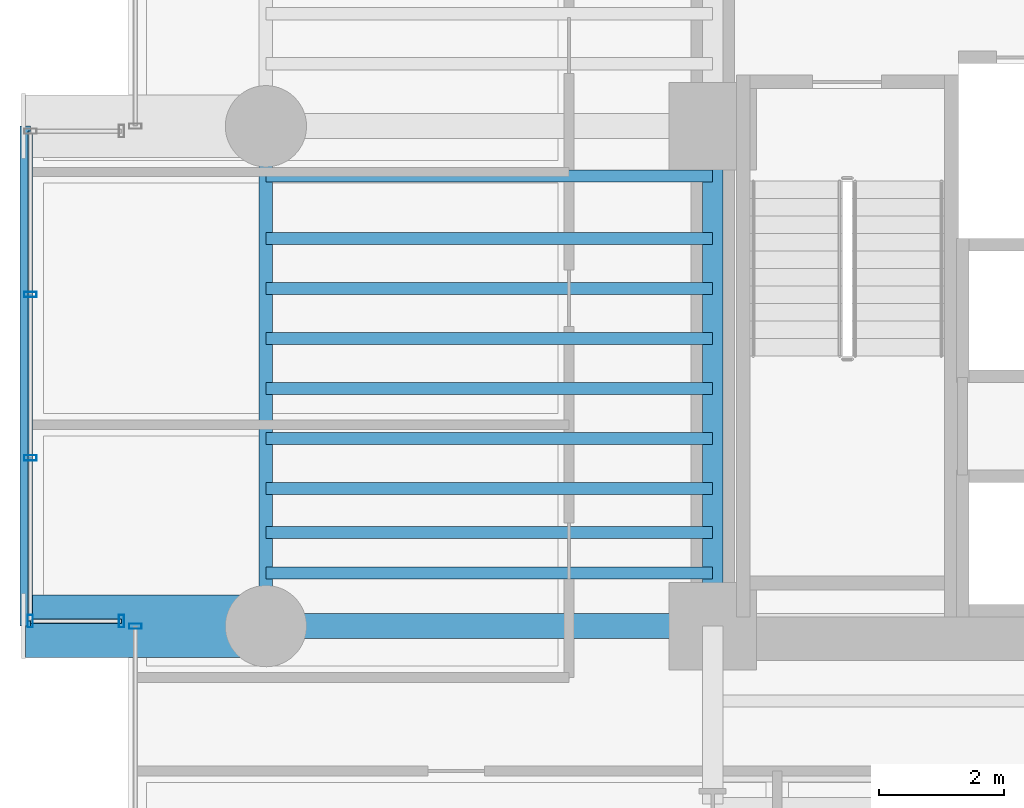
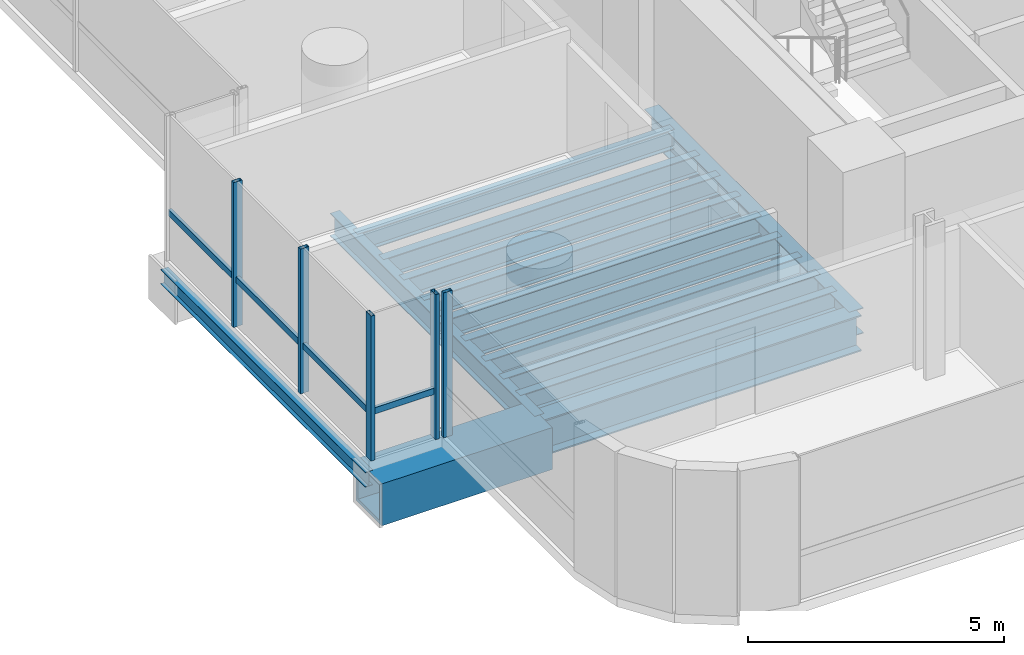
# One storey, part 4 of 39: 14 beams, 7 members, 3 elements without a shape of their own.
"""IFC4 building model written with IfcOpenShell, lengths in metres."""

from ifc_helpers import new_model, si_unit, direction, frame, origin, origin_2d, place, context, subcontext, project, spatial, hollow_rectangle, i_section, extrude, source, transform, mapped, material, material_profile, profile_set, type_object, element, aggregate, save


model = new_model("IFC4")

# Units and contexts
model_context = context("Model", 3, precision=1e-05, world=origin(), true_north=direction((0.0, 1.0)))
body_context = subcontext(model_context, "Body", "Model", "MODEL_VIEW")
ifc_project = project(units=[si_unit("LENGTHUNIT", "METRE"), si_unit("AREAUNIT", "SQUARE_METRE"), si_unit("VOLUMEUNIT", "CUBIC_METRE"), si_unit("PLANEANGLEUNIT", "RADIAN"), si_unit("MASSUNIT", "GRAM", prefix="KILO")], contexts=[model_context])

# Site, building, storey
site_placement = place(None, origin())
site = spatial("IfcSite", under=ifc_project, at=site_placement, CompositionType="ELEMENT")
building_placement = place(site_placement, origin())
building = spatial("IfcBuilding", under=site, at=building_placement, Name="Valdorenza Pilgrim Sanctuary Tower", CompositionType="ELEMENT")
storey_placement = place(building_placement, frame((0.0, 0.0, 33.39990234375)))
storey = spatial("IfcBuildingStorey", under=building, at=storey_placement, Name="L07", CompositionType="ELEMENT", Elevation=33.39990234375)

# Beams
ifc_material_1 = material(Name="Steel ASTM A992 Grade 50", Category="steel")
ifc_material_profile_1 = material_profile(ifc_material_1, i_section(OverallWidth=0.214111328125, OverallDepth=0.549072265625, WebThickness=0.0146484375, FlangeThickness=0.023681640625, at=origin_2d()), Name="W21X93")
ifc_profile_set_1 = profile_set([ifc_material_profile_1], Name="Steel ASTM A992 Grade 50")
beam_type_1 = type_object("IfcBeamType", Name="STR-BM-SPN-W21A", PredefinedType="SPANDREL", material=ifc_profile_set_1)
shared_shape_1 = source(origin(), body_context, "Body", "SweptSolid", [
    extrude(i_section(OverallWidth=0.214111328125, OverallDepth=0.549072265625, WebThickness=0.0146484375, FlangeThickness=0.023681640625, at=origin_2d()), origin(), (0.0, 0.0, 1.0), 8.0),
])
beam_1_placement = place(storey_placement, frame((-29.800048828125, -10.60009765625, -0.514404296875), z_axis=(0.0, 1.0, 0.0), x_axis=(-1.0, 0.0, 0.0)))
element("IfcBeam", 1, at=beam_1_placement, inside=storey, type_object=beam_type_1, Name="L07 Spandrel Beam WA-W-S1M0", PredefinedType="SPANDREL", context=body_context, shape_type="MappedRepresentation", body=[
    mapped(shared_shape_1, transform((0.0, 0.0, 0.0), x_axis=(1.0, 0.0, 0.0), y_axis=(0.0, 1.0, 0.0), z_axis=(0.0, 0.0, 1.0), scale=1.0)),
])
ifc_material_profile_2 = material_profile(ifc_material_1, i_section(OverallWidth=0.323974609375, OverallDepth=0.611083984375, WebThickness=0.0126953125, FlangeThickness=0.01904296875, at=origin_2d()), Name="W24X104")
ifc_profile_set_2 = profile_set([ifc_material_profile_2], Name="Steel ASTM A992 Grade 50")
beam_type_2 = type_object("IfcBeamType", Name="STR-BM-GRD-W24B", PredefinedType="BEAM", material=ifc_profile_set_2)
shared_shape_2 = source(origin(), body_context, "Body", "SweptSolid", [
    extrude(i_section(OverallWidth=0.323974609375, OverallDepth=0.611083984375, WebThickness=0.0126953125, FlangeThickness=0.01904296875, at=origin_2d()), origin(), (0.0, 0.0, 1.0), 8.0),
])
beam_2_placement = place(storey_placement, frame((-22.64990234375, -10.60009765625, -0.54541015625), z_axis=(0.0, 1.0, 0.0), x_axis=(-1.0, 0.0, 0.0)))
element("IfcBeam", 2, at=beam_2_placement, inside=storey, type_object=beam_type_2, Name="L07 Core Tie Girder CA-W-S1M0", PredefinedType="BEAM", context=body_context, shape_type="MappedRepresentation", body=[
    mapped(shared_shape_2, transform((0.0, 0.0, 0.0), x_axis=(1.0, 0.0, 0.0), y_axis=(0.0, 1.0, 0.0), z_axis=(0.0, 0.0, 1.0), scale=1.0)),
])
ifc_material_profile_3 = material_profile(ifc_material_1, i_section(OverallWidth=0.193115234375, OverallDepth=0.466064453125, WebThickness=0.011474609375, FlangeThickness=0.01904296875, at=origin_2d()), Name="W18X65")
ifc_profile_set_3 = profile_set([ifc_material_profile_3], Name="Steel ASTM A992 Grade 50")
beam_type_3 = type_object("IfcBeamType", Name="STR-BM-JST-W18A", PredefinedType="JOIST", material=ifc_profile_set_3)
shared_shape_3 = source(origin(), body_context, "Body", "SweptSolid", [
    extrude(i_section(OverallWidth=0.193115234375, OverallDepth=0.466064453125, WebThickness=0.011474609375, FlangeThickness=0.01904296875, at=origin_2d()), origin(), (0.0, 0.0, 1.0), 7.150146484375),
])
for number, where, z_axis, x_axis, name in (
    (3, (-29.800048828125, -9.75, -0.472900390625), (1.0, 0.0, 0.0), (0.0, 1.0, 0.0), "L07 Composite Floor Joist JST-WA-1"),
    (4, (-29.800048828125, -9.10009765625, -0.472900390625), (1.0, 0.0, 0.0), (0.0, 1.0, 0.0), "L07 Composite Floor Joist JST-WA-2"),
    (5, (-29.800048828125, -8.39990234375, -0.472900390625), (1.0, 0.0, 0.0), (0.0, 1.0, 0.0), "L07 Composite Floor Joist JST-WA-3"),
    (6, (-29.800048828125, -7.60009765625, -0.472900390625), (1.0, 0.0, 0.0), (0.0, 1.0, 0.0), "L07 Composite Floor Joist JST-WA-4"),
    (7, (-29.800048828125, -6.800048828125, -0.472900390625), (1.0, 0.0, 0.0), (0.0, 1.0, 0.0), "L07 Composite Floor Joist JST-WA-5"),
    (8, (-29.800048828125, -6.0, -0.472900390625), (1.0, 0.0, 0.0), (0.0, 1.0, 0.0), "L07 Composite Floor Joist JST-WA-6"),
    (9, (-29.800048828125, -5.199951171875, -0.472900390625), (1.0, 0.0, 0.0), (0.0, 1.0, 0.0), "L07 Composite Floor Joist JST-WA-7"),
    (10, (-29.800048828125, -4.39990234375, -0.472900390625), (1.0, 0.0, 0.0), (0.0, 1.0, 0.0), "L07 Composite Floor Joist JST-WA-8"),
    (11, (-29.800048828125, -3.39990234375, -0.472900390625), (1.0, 0.0, 0.0), (0.0, 1.0, 0.0), "L07 Composite Floor Joist JST-WA-9"),
):
    element("IfcBeam", number, at=place(storey_placement, frame(where, z_axis=z_axis, x_axis=x_axis)), inside=storey, type_object=beam_type_3, Name=name, PredefinedType="JOIST", context=body_context, shape_type="MappedRepresentation", body=[
        mapped(shared_shape_3, transform((0.0, 0.0, 0.0), x_axis=(1.0, 0.0, 0.0), y_axis=(0.0, 1.0, 0.0), z_axis=(0.0, 0.0, 1.0), scale=1.0)),
    ])
ifc_material_2 = material(Name="Steel ASTM A572 Grade 42", Category="steel")
ifc_material_profile_4 = material_profile(ifc_material_2, hollow_rectangle(XDim=1.0, YDim=1.0, WallThickness=0.080078125, at=origin_2d()), Name="BOX 1000x1000x80")
ifc_profile_set_4 = profile_set([ifc_material_profile_4], Name="Steel ASTM A572 Grade 42")
beam_type_4 = type_object("IfcBeamType", Name="STR-BM-PROW-CANT", PredefinedType="BEAM", material=ifc_profile_set_4)
shared_shape_4 = source(origin(), body_context, "Body", "SweptSolid", [
    extrude(hollow_rectangle(XDim=1.0, YDim=1.0, WallThickness=0.080078125, at=origin_2d()), origin(), (0.0, 0.0, 1.0), 3.849853515625),
])
beam_3_placement = place(storey_placement, frame((-29.800048828125, -10.60009765625, -0.739990234375), z_axis=(-1.0, 0.0, 0.0), x_axis=(0.0, -1.0, 0.0)))
element("IfcBeam", 12, at=beam_3_placement, inside=storey, type_object=beam_type_4, Name="L07 Glass Box Cantilever Beam BOX-WA-L07-CT-S", PredefinedType="BEAM", context=body_context, shape_type="MappedRepresentation", body=[
    mapped(shared_shape_4, transform((0.0, 0.0, 0.0), x_axis=(1.0, 0.0, 0.0), y_axis=(0.0, 1.0, 0.0), z_axis=(0.0, 0.0, 1.0), scale=1.0)),
])
ifc_material_profile_5 = material_profile(ifc_material_1, i_section(OverallWidth=0.1708984375, OverallDepth=0.35107421875, WebThickness=0.0068359375, FlangeThickness=0.009765625, at=origin_2d()), Name="W14X30")
ifc_profile_set_5 = profile_set([ifc_material_profile_5], Name="Steel ASTM A992 Grade 50")
beam_type_5 = type_object("IfcBeamType", Name="STR-BM-BOX-W14", PredefinedType="BEAM", material=ifc_profile_set_5)
shared_shape_5 = source(origin(), body_context, "Body", "SweptSolid", [
    extrude(i_section(OverallWidth=0.1708984375, OverallDepth=0.35107421875, WebThickness=0.0068359375, FlangeThickness=0.009765625, at=origin_2d()), origin(), (0.0, 0.0, 1.0), 8.0),
])
beam_4_placement = place(storey_placement, frame((-33.64990234375, -10.60009765625, -0.415283203125), z_axis=(0.0, 1.0, 0.0), x_axis=(-1.0, 0.0, 0.0)))
element("IfcBeam", 13, at=beam_4_placement, inside=storey, type_object=beam_type_5, Name="L07 Glass Box Edge Beam BOX-WA-L07-F", PredefinedType="BEAM", context=body_context, shape_type="MappedRepresentation", body=[
    mapped(shared_shape_5, transform((0.0, 0.0, 0.0), x_axis=(1.0, 0.0, 0.0), y_axis=(0.0, 1.0, 0.0), z_axis=(0.0, 0.0, 1.0), scale=1.0)),
])
ifc_material_profile_6 = material_profile(ifc_material_1, i_section(OverallWidth=0.39990234375, OverallDepth=0.862060546875, WebThickness=0.019775390625, FlangeThickness=0.032470703125, at=origin_2d()), Name="W33X221")
ifc_profile_set_6 = profile_set([ifc_material_profile_6], Name="Steel ASTM A992 Grade 50")
beam_type_6 = type_object("IfcBeamType", Name="STR-BM-GRD-W33", PredefinedType="BEAM", material=ifc_profile_set_6)
shared_shape_6 = source(origin(), body_context, "Body", "SweptSolid", [
    extrude(i_section(OverallWidth=0.39990234375, OverallDepth=0.862060546875, WebThickness=0.019775390625, FlangeThickness=0.032470703125, at=origin_2d()), origin(), (0.0, 0.0, 1.0), 7.150146484375),
])
beam_5_placement = place(storey_placement, frame((-29.800048828125, -10.60009765625, -0.6708984375), z_axis=(1.0, 0.0, 0.0), x_axis=(0.0, 1.0, 0.0)))
element("IfcBeam", 14, at=beam_5_placement, inside=storey, type_object=beam_type_6, Name="L07 Floor Girder WA-XW-S1", PredefinedType="BEAM", context=body_context, shape_type="MappedRepresentation", body=[
    mapped(shared_shape_6, transform((0.0, 0.0, 0.0), x_axis=(1.0, 0.0, 0.0), y_axis=(0.0, 1.0, 0.0), z_axis=(0.0, 0.0, 1.0), scale=1.0)),
])

# Curtain wall, member
ifc_material_3 = material(Name="Curtain-wall IGU glazing", Category="glass")
curtain_wall_type = type_object("IfcCurtainWallType", Name="CW-SYS-02", PredefinedType="NOTDEFINED", material=ifc_material_3)
curtain_wall_1_placement = place(storey_placement, origin())
curtain_wall_1 = element("IfcCurtainWall", 15, at=curtain_wall_1_placement, inside=storey, type_object=curtain_wall_type, Name="L07 Curtain Wall CW-L07-BOX-WA-L07-S", PredefinedType="NOTDEFINED")
ifc_material_4 = material(Name="Anodised aluminium AW-6060", Category="aluminium")
ifc_material_profile_7 = material_profile(ifc_material_4, hollow_rectangle(XDim=0.074951171875, YDim=0.14990234375, WallThickness=0.00390625, at=origin_2d()), Name="ALU-T 150x75x4")
ifc_profile_set_7 = profile_set([ifc_material_profile_7], Name="Anodised aluminium AW-6060")
member_type_1 = type_object("IfcMemberType", Name="CW-TRN-02", PredefinedType="USERDEFINED", material=ifc_profile_set_7)
shared_shape_7 = source(origin(), body_context, "Body", "SweptSolid", [
    extrude(hollow_rectangle(XDim=0.074951171875, YDim=0.14990234375, WallThickness=0.00390625, at=origin_2d()), origin(), (0.0, 0.0, 1.0), 1.4599609375),
])
member_1_placement = place(storey_placement, frame((-32.110107421875, -10.52001953125, 1.1201171875), z_axis=(-1.0, 0.0, 0.0), x_axis=(0.0, -1.0, 0.0)))
member_1 = element("IfcMember", 16, at=member_1_placement, type_object=member_type_1, Name="CW-L07-BOX-WA-L07-S Transom 1", ObjectType="TRANSOM", PredefinedType="USERDEFINED", context=body_context, shape_type="MappedRepresentation", body=[
    mapped(shared_shape_7, transform((0.0, 0.0, 0.0), x_axis=(1.0, 0.0, 0.0), y_axis=(0.0, 1.0, 0.0), z_axis=(0.0, 0.0, 1.0), scale=1.0)),
])

curtain_wall_2_placement = place(storey_placement, origin())
curtain_wall_2 = element("IfcCurtainWall", 17, at=curtain_wall_2_placement, inside=storey, type_object=curtain_wall_type, Name="L07 Curtain Wall CW-L07-BOX-WA-L07-F", PredefinedType="NOTDEFINED")
shared_shape_8 = source(origin(), body_context, "Body", "SweptSolid", [
    extrude(hollow_rectangle(XDim=0.074951171875, YDim=0.14990234375, WallThickness=0.00390625, at=origin_2d()), origin(), (0.0, 0.0, 1.0), 7.840087890625),
])
member_2_placement = place(storey_placement, frame((-33.570068359375, -10.52001953125, 1.1201171875), z_axis=(0.0, 1.0, 0.0), x_axis=(-1.0, 0.0, 0.0)))
member_2 = element("IfcMember", 18, at=member_2_placement, type_object=member_type_1, Name="CW-L07-BOX-WA-L07-F Transom 1", ObjectType="TRANSOM", PredefinedType="USERDEFINED", context=body_context, shape_type="MappedRepresentation", body=[
    mapped(shared_shape_8, transform((0.0, 0.0, 0.0), x_axis=(1.0, 0.0, 0.0), y_axis=(0.0, 1.0, 0.0), z_axis=(0.0, 0.0, 1.0), scale=1.0)),
])

curtain_wall_3_placement = place(storey_placement, origin())
curtain_wall_3 = element("IfcCurtainWall", 19, at=curtain_wall_3_placement, inside=storey, type_object=curtain_wall_type, Name="L07 Curtain Wall CW-L07-1-1S1", PredefinedType="NOTDEFINED")
ifc_material_profile_8 = material_profile(ifc_material_4, hollow_rectangle(XDim=0.0849609375, YDim=0.199951171875, WallThickness=0.0048828125, at=origin_2d()), Name="ALU-M 200x85x5")
ifc_profile_set_8 = profile_set([ifc_material_profile_8], Name="Anodised aluminium AW-6060")
member_type_2 = type_object("IfcMemberType", Name="CW-MUL-02", PredefinedType="MULLION", material=ifc_profile_set_8)
shared_shape_9 = source(origin(), body_context, "Body", "SweptSolid", [
    extrude(hollow_rectangle(XDim=0.0849609375, YDim=0.199951171875, WallThickness=0.0048828125, at=origin_2d()), origin(), (0.0, 0.0, 1.0), 3.460205078125),
])
member_3_placement = place(storey_placement, frame((-31.889892578125, -10.60009765625, 0.0), z_axis=(0.0, 0.0, 1.0), x_axis=(0.0, 1.0, 0.0)))
member_3 = element("IfcMember", 20, at=member_3_placement, type_object=member_type_2, Name="CW-L07-1-1S1 Mullion 2", PredefinedType="MULLION", context=body_context, shape_type="MappedRepresentation", body=[
    mapped(shared_shape_9, transform((0.0, 0.0, 0.0), x_axis=(1.0, 0.0, 0.0), y_axis=(0.0, 1.0, 0.0), z_axis=(0.0, 0.0, 1.0), scale=1.0)),
])
aggregate(curtain_wall_3, [member_3])

# Member
member_4_placement = place(storey_placement, frame((-32.110107421875, -10.52001953125, 0.0), z_axis=(0.0, 0.0, 1.0), x_axis=(-1.0, 0.0, 0.0)))
member_4 = element("IfcMember", 21, at=member_4_placement, type_object=member_type_2, Name="CW-L07-BOX-WA-L07-S Mullion 1", PredefinedType="MULLION", context=body_context, shape_type="MappedRepresentation", body=[
    mapped(shared_shape_9, transform((0.0, 0.0, 0.0), x_axis=(1.0, 0.0, 0.0), y_axis=(0.0, 1.0, 0.0), z_axis=(0.0, 0.0, 1.0), scale=1.0)),
])

member_5_placement = place(storey_placement, frame((-33.570068359375, -10.52001953125, 0.0), z_axis=(0.0, 0.0, 1.0), x_axis=(-1.0, 0.0, 0.0)))
member_5 = element("IfcMember", 22, at=member_5_placement, type_object=member_type_2, Name="CW-L07-BOX-WA-L07-S Mullion 2", PredefinedType="MULLION", context=body_context, shape_type="MappedRepresentation", body=[
    mapped(shared_shape_9, transform((0.0, 0.0, 0.0), x_axis=(1.0, 0.0, 0.0), y_axis=(0.0, 1.0, 0.0), z_axis=(0.0, 0.0, 1.0), scale=1.0)),
])

aggregate(curtain_wall_1, [member_4, member_5, member_1])

member_6_placement = place(storey_placement, frame((-33.570068359375, -7.90673828125, 0.0), z_axis=(0.0, 0.0, 1.0), x_axis=(0.0, 1.0, 0.0)))
member_6 = element("IfcMember", 23, at=member_6_placement, type_object=member_type_2, Name="CW-L07-BOX-WA-L07-F Mullion 2", PredefinedType="MULLION", context=body_context, shape_type="MappedRepresentation", body=[
    mapped(shared_shape_9, transform((0.0, 0.0, 0.0), x_axis=(1.0, 0.0, 0.0), y_axis=(0.0, 1.0, 0.0), z_axis=(0.0, 0.0, 1.0), scale=1.0)),
])

member_7_placement = place(storey_placement, frame((-33.570068359375, -5.293212890625, 0.0), z_axis=(0.0, 0.0, 1.0), x_axis=(0.0, 1.0, 0.0)))
member_7 = element("IfcMember", 24, at=member_7_placement, type_object=member_type_2, Name="CW-L07-BOX-WA-L07-F Mullion 3", PredefinedType="MULLION", context=body_context, shape_type="MappedRepresentation", body=[
    mapped(shared_shape_9, transform((0.0, 0.0, 0.0), x_axis=(1.0, 0.0, 0.0), y_axis=(0.0, 1.0, 0.0), z_axis=(0.0, 0.0, 1.0), scale=1.0)),
])

aggregate(curtain_wall_2, [member_6, member_7, member_2])

save(model, "model.ifc")
